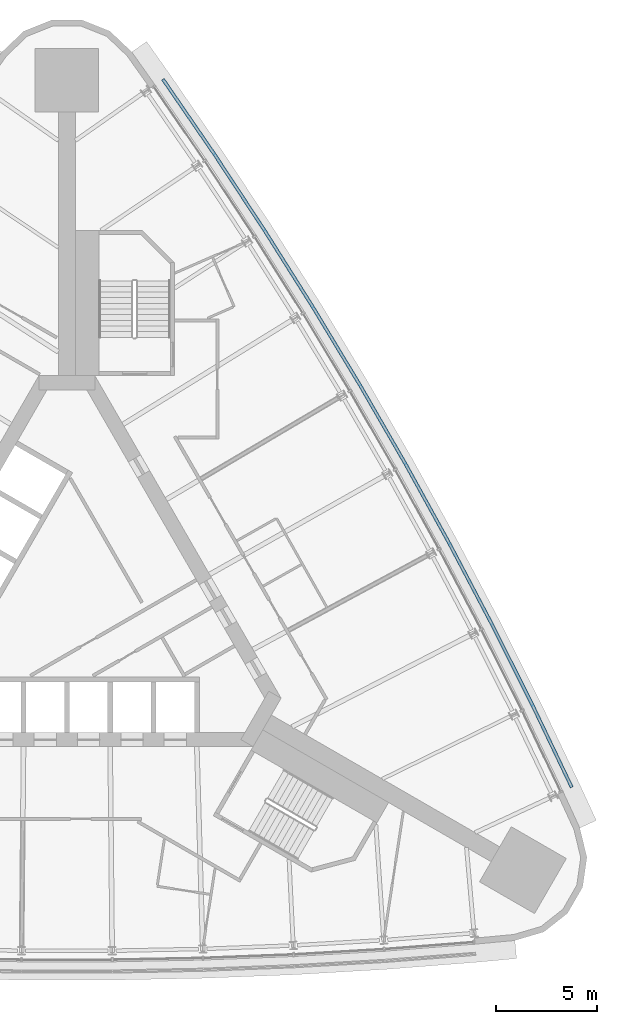
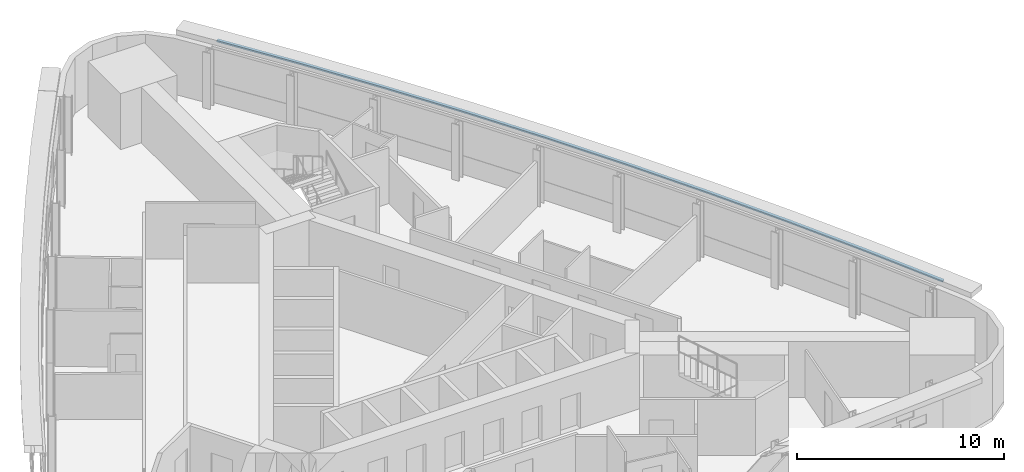
# One storey, part 11 of 13: 1 discrete accessory.
"""IFC4 building model written with IfcOpenShell, lengths in metres."""

from ifc_helpers import new_model, si_unit, direction, frame, origin, place, context, subcontext, project, spatial, polyline, outline, extrude, material, type_object, element, save


model = new_model("IFC4")

# Units and contexts
model_context = context("Model", 3, precision=1e-05, world=origin(), true_north=direction((0.0, 1.0)))
body_context = subcontext(model_context, "Body", "Model", "MODEL_VIEW")
ifc_project = project(units=[si_unit("LENGTHUNIT", "METRE"), si_unit("AREAUNIT", "SQUARE_METRE"), si_unit("VOLUMEUNIT", "CUBIC_METRE"), si_unit("PLANEANGLEUNIT", "RADIAN"), si_unit("MASSUNIT", "GRAM", prefix="KILO")], contexts=[model_context])

# Site, building, storey
site_placement = place(None, origin())
site = spatial("IfcSite", under=ifc_project, at=site_placement, CompositionType="ELEMENT")
building_placement = place(site_placement, origin())
building = spatial("IfcBuilding", under=site, at=building_placement, Name="Noor Cloister Tower", CompositionType="ELEMENT")
storey_placement = place(building_placement, frame((0.0, 0.0, 83.39990234375)))
storey = spatial("IfcBuildingStorey", under=building, at=storey_placement, Name="L21", CompositionType="ELEMENT", Elevation=83.39990234375)

# Discrete accessory
ifc_material = material(Name="Stainless steel grade 316", Category="steel")
discrete_accessory_type = type_object("IfcDiscreteAccessoryType", Name="Stainless hanger rail", PredefinedType="BRACKET", material=ifc_material)
discrete_accessory_placement = place(storey_placement, frame((0.0, 0.0, 3.2001953125)))
element("IfcDiscreteAccessory", 1, at=discrete_accessory_placement, inside=storey, type_object=discrete_accessory_type, Name="Hanger rail L21", PredefinedType="BRACKET", context=body_context, shape_type="SweptSolid", body=[
    extrude(outline(polyline([(25.09375, -8.915283203125), (23.151611328125, -4.849853515625), (21.128173828125, -0.818359375), (19.026611328125, 3.173095703125), (16.84765625, 7.122802734375), (14.59228515625, 11.029296875), (12.26123046875, 14.89111328125), (9.855224609375, 18.706787109375), (7.37548828125, 22.474853515625), (4.825927734375, 26.189453125), (4.694091796875, 26.098876953125), (7.24267578125, 22.385498046875), (9.720703125, 18.6201171875), (12.125, 14.806884765625), (14.45458984375, 10.94775390625), (16.708251953125, 7.0439453125), (18.8857421875, 3.09716796875), (20.98583984375, -0.8916015625), (23.0078125, -4.92041015625), (24.94921875, -8.984130859375), (25.09375, -8.915283203125)])), origin(), (0.0, 0.0, 1.0), 0.099853515625),
])

save(model, "model.ifc")
